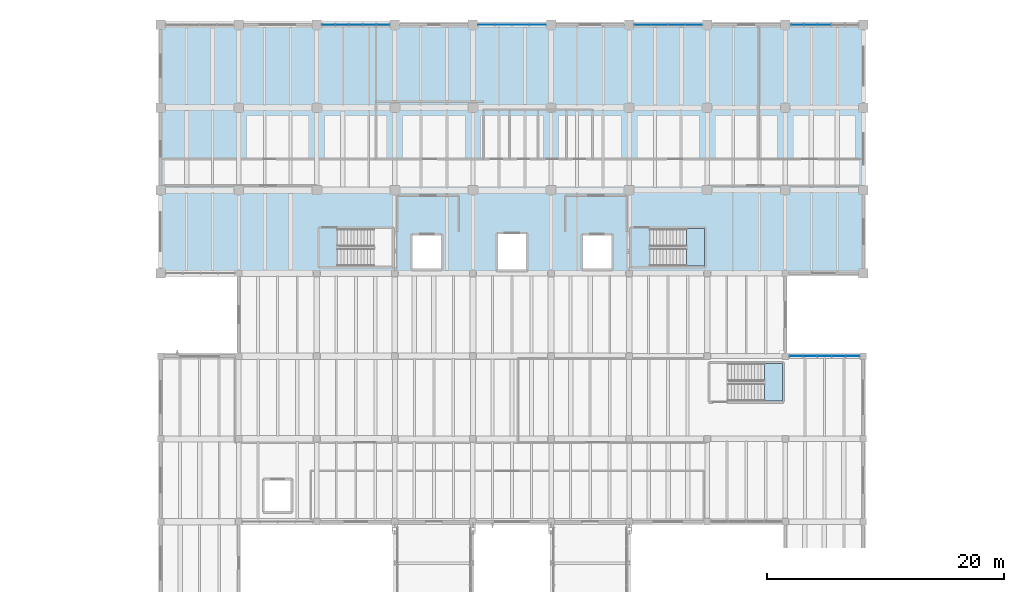
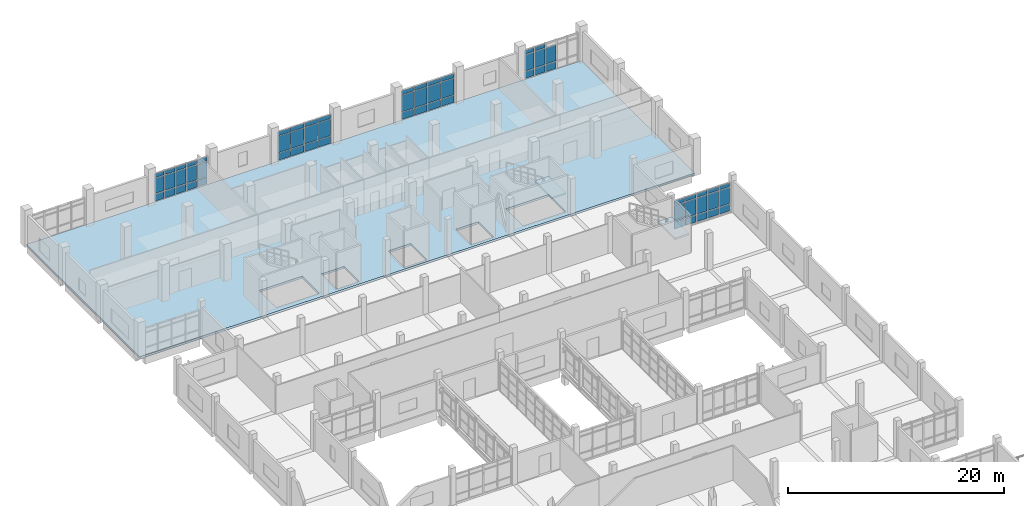
# One storey, part 44 of 67: 62 plates, 3 slabs, 7 elements without a shape of their own.
"""IFC4 building model written with IfcOpenShell, lengths in metres."""

import ifcopenshell
import ifcopenshell.guid

model = None  # the IFC model being written
_history = None  # IfcOwnerHistory: only IFC2X3 demands one
_inside = {}  # id of a spatial element -> (the spatial element, [elements in it])
_under = {}  # id of a project, library or spatial element -> (it, [spatial elements below it])
_declared = {}  # id of a project -> (the project, [libraries it declares])
_typed = {}  # id of a type object -> (the type object, [elements of that type])
_made_of = {}  # id of a material, layer set ... -> (it, [elements and type objects made of it])


def new_model(schema):
    """Start an empty IFC model of exactly this schema.

    Asked for "IFC4X3", IfcOpenShell would pick the latest addendum, in which some entities
    have other attributes; the version numbers below select the first issue.
    IFC2X3 requires an IfcOwnerHistory on every rooted entity: one is made here for all.
    """
    global model, _history
    if schema == "IFC4X3":
        model = ifcopenshell.file(schema_version=(4, 3, 0, 0))
    else:
        model = ifcopenshell.file(schema=schema)
    _inside.clear()
    _under.clear()
    _declared.clear()
    _typed.clear()
    _made_of.clear()
    _history = None
    if model.schema == "IFC2X3":
        org = make("IfcOrganization", Name="unknown")
        user = make(
            "IfcPersonAndOrganization",
            ThePerson=make("IfcPerson", FamilyName="unknown"),
            TheOrganization=org,
        )
        app = make(
            "IfcApplication",
            ApplicationDeveloper=org,
            Version="unknown",
            ApplicationFullName="unknown",
            ApplicationIdentifier="unknown",
        )
        _history = make(
            "IfcOwnerHistory",
            OwningUser=user,
            OwningApplication=app,
            ChangeAction="ADDED",
            CreationDate=0,
        )
    return model


def make(cls, **values):
    """One entity of the class cls with the attributes given. An attribute that is None is left unset."""
    return model.create_entity(
        cls, **{name: value for name, value in values.items() if value is not None}
    )


def rooted(cls, **values):
    """An entity with a GlobalId (a new one), such as an element, a storey or a relation."""
    return make(cls, GlobalId=ifcopenshell.guid.new(), OwnerHistory=_history, **values)


def si_unit(unit_type, name, prefix=None):
    """IfcSIUnit, for example si_unit("LENGTHUNIT", "METRE", prefix="MILLI")."""
    return make("IfcSIUnit", UnitType=unit_type, Prefix=prefix, Name=name)


def assignment(units):
    """IfcUnitAssignment: the units of a project."""
    return None if units is None else make("IfcUnitAssignment", Units=units)


def point(xyz):
    """IfcCartesianPoint."""
    return None if xyz is None else make("IfcCartesianPoint", Coordinates=xyz)


def direction(xyz):
    """IfcDirection."""
    return None if xyz is None else make("IfcDirection", DirectionRatios=xyz)


def frame(location, z_axis=None, x_axis=None):
    """IfcAxis2Placement3D, a coordinate frame: its origin and axes. An axis left out is left unset."""
    return make(
        "IfcAxis2Placement3D",
        Location=point(location),
        Axis=direction(z_axis),
        RefDirection=direction(x_axis),
    )


def frame_2d(location, x_axis=None):
    """IfcAxis2Placement2D, a coordinate frame in the plane: its origin and x axis."""
    return make(
        "IfcAxis2Placement2D", Location=point(location), RefDirection=direction(x_axis)
    )


def origin():
    """The frame at (0, 0, 0) with its axes left unset."""
    return frame((0.0, 0.0, 0.0))


def origin_2d():
    """The frame at (0, 0) in the plane with its x axis left unset."""
    return frame_2d((0.0, 0.0))


def place(relative_to, where):
    """IfcLocalPlacement: puts the frame where relative to a parent placement (None: the world)."""
    return make(
        "IfcLocalPlacement", PlacementRelTo=relative_to, RelativePlacement=where
    )


def context(
    kind, dimensions, precision=None, world=None, true_north=None, identifier=None
):
    """IfcGeometricRepresentationContext, for example the 3D "Model" context."""
    return make(
        "IfcGeometricRepresentationContext",
        ContextIdentifier=identifier,
        ContextType=kind,
        CoordinateSpaceDimension=dimensions,
        Precision=precision,
        WorldCoordinateSystem=world,
        TrueNorth=true_north,
    )


def subcontext(parent, identifier, kind, view, scale=None):
    """IfcGeometricRepresentationSubContext, for example "Body" below "Model"."""
    return make(
        "IfcGeometricRepresentationSubContext",
        ContextIdentifier=identifier,
        ContextType=kind,
        ParentContext=parent,
        TargetScale=scale,
        TargetView=view,
    )


def project(units=None, contexts=None):
    """IfcProject with its units and contexts."""
    return rooted(
        "IfcProject",
        Name="project",
        RepresentationContexts=contexts,
        UnitsInContext=assignment(units),
    )


def spatial(cls, under=None, at=None, **own):
    """A site, building, storey or space (cls), placed at a placement, below another one or the project."""
    s = rooted(cls, ObjectPlacement=at, **own)
    if under is not None:
        _under.setdefault(under.id(), (under, []))[1].append(s)
    return s


def polyline(points):
    """IfcPolyline through the points."""
    return make("IfcPolyline", Points=[point(p) for p in points])


def profile(cls, at=None, kind="AREA", **sizes):
    """A parametric profile (cls). Its sizes go by their IFC names, for example OverallWidth=200.0."""
    return make(cls, ProfileType=kind, Position=at, **sizes)


def rectangle(**sizes):
    """IfcRectangleProfileDef."""
    return profile("IfcRectangleProfileDef", **sizes)


def outline(outer, holes=None, kind="AREA"):
    """IfcArbitraryClosedProfileDef: a profile drawn as a closed curve; with holes, ...WithVoids."""
    if holes is None:
        return make("IfcArbitraryClosedProfileDef", ProfileType=kind, OuterCurve=outer)
    return make(
        "IfcArbitraryProfileDefWithVoids",
        ProfileType=kind,
        OuterCurve=outer,
        InnerCurves=holes,
    )


def extrude(swept, where, along, depth):
    """IfcExtrudedAreaSolid: the profile swept, set in the frame where, extruded along a direction by depth."""
    return make(
        "IfcExtrudedAreaSolid",
        SweptArea=swept,
        Position=where,
        ExtrudedDirection=direction(along),
        Depth=depth,
    )


def shape(context_of_items, identifier, shape_type, items):
    """IfcShapeRepresentation: the items that make up one representation, for example the "Body"."""
    return make(
        "IfcShapeRepresentation",
        ContextOfItems=context_of_items,
        RepresentationIdentifier=identifier,
        RepresentationType=shape_type,
        Items=items,
    )


def material(Name=None, Category=None):
    """IfcMaterial."""
    return make("IfcMaterial", Name=Name, Category=Category)


def layer(
    of_material, thickness, ventilated=None, Name=None, Category=None, Priority=None
):
    """IfcMaterialLayer: one layer of a wall or slab, of a material (None: an air gap)."""
    return make(
        "IfcMaterialLayer",
        Material=of_material,
        LayerThickness=thickness,
        IsVentilated=ventilated,
        Name=Name,
        Category=Category,
        Priority=Priority,
    )


def layer_set(layers, Name=None):
    """IfcMaterialLayerSet."""
    return make("IfcMaterialLayerSet", MaterialLayers=layers, LayerSetName=Name)


def made_of(thing, what):
    """Note that an element or type object is made of a material, layer set ...; save() writes the relation."""
    if what is not None:
        _made_of.setdefault(what.id(), (what, []))[1].append(thing)
    return thing


def type_object(cls, material=None, **own):
    """A type object (cls), such as IfcWallType, which elements share."""
    return made_of(rooted(cls, **own), material)


def element(
    cls,
    number,
    at=None,
    inside=None,
    cuts=None,
    type_object=None,
    material=None,
    context=None,
    identifier="Body",
    shape_type=None,
    held_by="IfcProductDefinitionShape",
    body=None,
    shapes=None,
    **own,
):
    """One element of the class cls, such as IfcWall. Its Tag is "e" and its number.

    at: its placement. inside: the storey or other place that contains it. cuts: it is an
    opening in that element (IfcRelVoidsElement). A single representation is given by context,
    identifier, shape_type and body (its items); several are given by shapes. held_by: the class
    of the entity that holds the representations. save() writes the other relations.
    """
    e = rooted(cls, Tag="e%d" % number, ObjectPlacement=at, **own)
    if body is not None:
        shapes = [shape(context, identifier, shape_type, body)]
    if shapes is not None:
        e.Representation = make(held_by, Representations=shapes)
    if inside is not None:
        _inside.setdefault(inside.id(), (inside, []))[1].append(e)
    if cuts is not None:
        rooted(
            "IfcRelVoidsElement", RelatingBuildingElement=cuts, RelatedOpeningElement=e
        )
    if type_object is not None:
        _typed.setdefault(type_object.id(), (type_object, []))[1].append(e)
    return made_of(e, material)


def aggregate(whole, parts):
    """IfcRelAggregates: a whole, such as a stair, and the parts it consists of."""
    return rooted("IfcRelAggregates", RelatingObject=whole, RelatedObjects=parts)


def save(model, path):
    """Write the relations noted so far, then the file.

    IfcRelAggregates (storeys below a building ...), IfcRelContainedInSpatialStructure (elements
    in a storey), IfcRelDefinesByType, IfcRelAssociatesMaterial and IfcRelDeclares: one each for
    every whole, place, type object, material and project.
    """
    for whole, parts in _under.values():
        aggregate(whole, parts)
    for where, things in _inside.values():
        rooted(
            "IfcRelContainedInSpatialStructure",
            RelatedElements=things,
            RelatingStructure=where,
        )
    for kind, things in _typed.values():
        rooted("IfcRelDefinesByType", RelatedObjects=things, RelatingType=kind)
    for what, things in _made_of.values():
        rooted("IfcRelAssociatesMaterial", RelatedObjects=things, RelatingMaterial=what)
    for by, libraries in _declared.values():
        rooted("IfcRelDeclares", RelatingContext=by, RelatedDefinitions=libraries)
    model.write(path)


model = new_model("IFC4")

# Units and contexts
model_context = context("Model", 3, precision=1e-05, world=origin(), true_north=direction((0.0, 1.0)))
body_context = subcontext(model_context, "Body", "Model", "MODEL_VIEW")
ifc_project = project(units=[si_unit("LENGTHUNIT", "METRE"), si_unit("AREAUNIT", "SQUARE_METRE"), si_unit("VOLUMEUNIT", "CUBIC_METRE"), si_unit("PLANEANGLEUNIT", "RADIAN"), si_unit("MASSUNIT", "GRAM", prefix="KILO")], contexts=[model_context])

# Site, building, storey
site_placement = place(None, origin())
site = spatial("IfcSite", under=ifc_project, at=site_placement, CompositionType="ELEMENT")
building_placement = place(site_placement, origin())
building = spatial("IfcBuilding", under=site, at=building_placement, Name="Ciguamira Faculty of Natural Sciences", CompositionType="ELEMENT")
storey_placement = place(building_placement, frame((0.0, 0.0, 8.39990234375)))
storey = spatial("IfcBuildingStorey", under=building, at=storey_placement, Name="L02", CompositionType="ELEMENT", Elevation=8.39990234375)

# Curtain wall, plates
ifc_material_1 = material(Name="Anodized aluminium curtain wall", Category="aluminium")
curtain_wall_type_1 = type_object("IfcCurtainWallType", Name="CurtainWall_CW-09", PredefinedType="USERDEFINED", material=ifc_material_1)
curtain_wall_1_placement = place(storey_placement, origin())
curtain_wall_1 = element("IfcCurtainWall", 1, at=curtain_wall_1_placement, inside=storey, type_object=curtain_wall_type_1, Name="L02 unitised curtain wall 0069", ObjectType="UNITISED CURTAIN WALL", PredefinedType="USERDEFINED")
ifc_material_2 = material(Name="Low-E laminated solar glass", Category="glass")
ifc_layer_1 = layer(ifc_material_2, 0.028076171875, Name="Low-E laminated solar glass")
ifc_layer_set_1 = layer_set([ifc_layer_1], Name="Low-E laminated solar glass")
plate_type_1 = type_object("IfcPlateType", Name="CWPanel_CWP-01", PredefinedType="CURTAIN_PANEL", material=ifc_layer_set_1)
plate_1_placement = place(storey_placement, frame((111.0, 87.0, 0.080078125), z_axis=(0.0, 0.0, 1.0), x_axis=(1.0, 0.0, 0.0)))
plate_1 = element("IfcPlate", 2, at=plate_1_placement, type_object=plate_type_1, Name="CW-09 panel 1.1", PredefinedType="CURTAIN_PANEL", context=body_context, shape_type="SweptSolid", body=[
    extrude(rectangle(XDim=1.090087890625, YDim=0.028076171875, at=origin_2d()), origin(), (0.0, 0.0, 1.0), 0.780029296875),
])
plate_2_placement = place(storey_placement, frame((111.0, 87.0, 0.940185546875), z_axis=(0.0, 0.0, 1.0), x_axis=(1.0, 0.0, 0.0)))
plate_2 = element("IfcPlate", 3, at=plate_2_placement, type_object=plate_type_1, Name="CW-09 panel 1.2", PredefinedType="CURTAIN_PANEL", context=body_context, shape_type="SweptSolid", body=[
    extrude(rectangle(XDim=1.090087890625, YDim=0.028076171875, at=origin_2d()), origin(), (0.0, 0.0, 1.0), 1.81494140625),
])
plate_3_placement = place(storey_placement, frame((111.0, 87.0, 2.8349609375), z_axis=(0.0, 0.0, 1.0), x_axis=(1.0, 0.0, 0.0)))
plate_3 = element("IfcPlate", 4, at=plate_3_placement, type_object=plate_type_1, Name="CW-09 panel 1.3", PredefinedType="CURTAIN_PANEL", context=body_context, shape_type="SweptSolid", body=[
    extrude(rectangle(XDim=1.090087890625, YDim=0.028076171875, at=origin_2d()), origin(), (0.0, 0.0, 1.0), 0.429931640625),
])
plate_4_placement = place(storey_placement, frame((112.18994140625, 87.0, 0.080078125), z_axis=(0.0, 0.0, 1.0), x_axis=(1.0, 0.0, 0.0)))
plate_4 = element("IfcPlate", 5, at=plate_4_placement, type_object=plate_type_1, Name="CW-09 panel 2.1", PredefinedType="CURTAIN_PANEL", context=body_context, shape_type="SweptSolid", body=[
    extrude(rectangle(XDim=1.1298828125, YDim=0.028076171875, at=origin_2d()), origin(), (0.0, 0.0, 1.0), 0.780029296875),
])
plate_5_placement = place(storey_placement, frame((112.18994140625, 87.0, 0.940185546875), z_axis=(0.0, 0.0, 1.0), x_axis=(1.0, 0.0, 0.0)))
plate_5 = element("IfcPlate", 6, at=plate_5_placement, type_object=plate_type_1, Name="CW-09 panel 2.2", PredefinedType="CURTAIN_PANEL", context=body_context, shape_type="SweptSolid", body=[
    extrude(rectangle(XDim=1.1298828125, YDim=0.028076171875, at=origin_2d()), origin(), (0.0, 0.0, 1.0), 1.81494140625),
])
plate_6_placement = place(storey_placement, frame((112.18994140625, 87.0, 2.8349609375), z_axis=(0.0, 0.0, 1.0), x_axis=(1.0, 0.0, 0.0)))
plate_6 = element("IfcPlate", 7, at=plate_6_placement, type_object=plate_type_1, Name="CW-09 panel 2.3", PredefinedType="CURTAIN_PANEL", context=body_context, shape_type="SweptSolid", body=[
    extrude(rectangle(XDim=1.1298828125, YDim=0.028076171875, at=origin_2d()), origin(), (0.0, 0.0, 1.0), 0.429931640625),
])
plate_7_placement = place(storey_placement, frame((113.39990234375, 87.0, 0.080078125), z_axis=(0.0, 0.0, 1.0), x_axis=(1.0, 0.0, 0.0)))
plate_7 = element("IfcPlate", 8, at=plate_7_placement, type_object=plate_type_1, Name="CW-09 panel 3.1", PredefinedType="CURTAIN_PANEL", context=body_context, shape_type="SweptSolid", body=[
    extrude(rectangle(XDim=1.1298828125, YDim=0.028076171875, at=origin_2d()), origin(), (0.0, 0.0, 1.0), 0.780029296875),
])
plate_8_placement = place(storey_placement, frame((113.39990234375, 87.0, 0.940185546875), z_axis=(0.0, 0.0, 1.0), x_axis=(1.0, 0.0, 0.0)))
plate_8 = element("IfcPlate", 9, at=plate_8_placement, type_object=plate_type_1, Name="CW-09 panel 3.2", PredefinedType="CURTAIN_PANEL", context=body_context, shape_type="SweptSolid", body=[
    extrude(rectangle(XDim=1.1298828125, YDim=0.028076171875, at=origin_2d()), origin(), (0.0, 0.0, 1.0), 1.81494140625),
])
plate_9_placement = place(storey_placement, frame((113.39990234375, 87.0, 2.8349609375), z_axis=(0.0, 0.0, 1.0), x_axis=(1.0, 0.0, 0.0)))
plate_9 = element("IfcPlate", 10, at=plate_9_placement, type_object=plate_type_1, Name="CW-09 panel 3.3", PredefinedType="CURTAIN_PANEL", context=body_context, shape_type="SweptSolid", body=[
    extrude(rectangle(XDim=1.1298828125, YDim=0.028076171875, at=origin_2d()), origin(), (0.0, 0.0, 1.0), 0.429931640625),
])
plate_10_placement = place(storey_placement, frame((114.610107421875, 87.0, 0.080078125), z_axis=(0.0, 0.0, 1.0), x_axis=(1.0, 0.0, 0.0)))
plate_10 = element("IfcPlate", 11, at=plate_10_placement, type_object=plate_type_1, Name="CW-09 panel 4.1", PredefinedType="CURTAIN_PANEL", context=body_context, shape_type="SweptSolid", body=[
    extrude(rectangle(XDim=1.1298828125, YDim=0.028076171875, at=origin_2d()), origin(), (0.0, 0.0, 1.0), 0.780029296875),
])
plate_11_placement = place(storey_placement, frame((114.610107421875, 87.0, 0.940185546875), z_axis=(0.0, 0.0, 1.0), x_axis=(1.0, 0.0, 0.0)))
plate_11 = element("IfcPlate", 12, at=plate_11_placement, type_object=plate_type_1, Name="CW-09 panel 4.2", PredefinedType="CURTAIN_PANEL", context=body_context, shape_type="SweptSolid", body=[
    extrude(rectangle(XDim=1.1298828125, YDim=0.028076171875, at=origin_2d()), origin(), (0.0, 0.0, 1.0), 1.81494140625),
])
plate_12_placement = place(storey_placement, frame((114.610107421875, 87.0, 2.8349609375), z_axis=(0.0, 0.0, 1.0), x_axis=(1.0, 0.0, 0.0)))
plate_12 = element("IfcPlate", 13, at=plate_12_placement, type_object=plate_type_1, Name="CW-09 panel 4.3", PredefinedType="CURTAIN_PANEL", context=body_context, shape_type="SweptSolid", body=[
    extrude(rectangle(XDim=1.1298828125, YDim=0.028076171875, at=origin_2d()), origin(), (0.0, 0.0, 1.0), 0.429931640625),
])
plate_13_placement = place(storey_placement, frame((115.800048828125, 87.0, 0.080078125), z_axis=(0.0, 0.0, 1.0), x_axis=(1.0, 0.0, 0.0)))
plate_13 = element("IfcPlate", 14, at=plate_13_placement, type_object=plate_type_1, Name="CW-09 panel 5.1", PredefinedType="CURTAIN_PANEL", context=body_context, shape_type="SweptSolid", body=[
    extrude(rectangle(XDim=1.090087890625, YDim=0.028076171875, at=origin_2d()), origin(), (0.0, 0.0, 1.0), 0.780029296875),
])
plate_14_placement = place(storey_placement, frame((115.800048828125, 87.0, 0.940185546875), z_axis=(0.0, 0.0, 1.0), x_axis=(1.0, 0.0, 0.0)))
plate_14 = element("IfcPlate", 15, at=plate_14_placement, type_object=plate_type_1, Name="CW-09 panel 5.2", PredefinedType="CURTAIN_PANEL", context=body_context, shape_type="SweptSolid", body=[
    extrude(rectangle(XDim=1.090087890625, YDim=0.028076171875, at=origin_2d()), origin(), (0.0, 0.0, 1.0), 1.81494140625),
])
plate_15_placement = place(storey_placement, frame((115.800048828125, 87.0, 2.8349609375), z_axis=(0.0, 0.0, 1.0), x_axis=(1.0, 0.0, 0.0)))
plate_15 = element("IfcPlate", 16, at=plate_15_placement, type_object=plate_type_1, Name="CW-09 panel 5.3", PredefinedType="CURTAIN_PANEL", context=body_context, shape_type="SweptSolid", body=[
    extrude(rectangle(XDim=1.090087890625, YDim=0.028076171875, at=origin_2d()), origin(), (0.0, 0.0, 1.0), 0.429931640625),
])
aggregate(curtain_wall_1, [plate_1, plate_2, plate_3, plate_4, plate_5, plate_6, plate_7, plate_8, plate_9, plate_10, plate_11, plate_12, plate_13, plate_14, plate_15])

curtain_wall_type_2 = type_object("IfcCurtainWallType", Name="CurtainWall_CW-01", PredefinedType="USERDEFINED", material=ifc_material_1)
curtain_wall_2_placement = place(storey_placement, origin())
curtain_wall_2 = element("IfcCurtainWall", 17, at=curtain_wall_2_placement, inside=storey, type_object=curtain_wall_type_2, Name="L02 unitised curtain wall 0073", ObjectType="UNITISED CURTAIN WALL", PredefinedType="USERDEFINED")
plate_16_placement = place(storey_placement, frame((84.840087890625, 115.0, 0.06005859375), z_axis=(0.0, 0.0, 1.0), x_axis=(1.0, 0.0, 0.0)))
plate_16 = element("IfcPlate", 18, at=plate_16_placement, type_object=plate_type_1, Name="CW-01 panel 1.1", PredefinedType="CURTAIN_PANEL", context=body_context, shape_type="SweptSolid", body=[
    extrude(rectangle(XDim=1.360107421875, YDim=0.028076171875, at=origin_2d()), origin(), (0.0, 0.0, 1.0), 0.81005859375),
])
plate_17_placement = place(storey_placement, frame((84.840087890625, 115.0, 0.93017578125), z_axis=(0.0, 0.0, 1.0), x_axis=(1.0, 0.0, 0.0)))
plate_17 = element("IfcPlate", 19, at=plate_17_placement, type_object=plate_type_1, Name="CW-01 panel 1.2", PredefinedType="CURTAIN_PANEL", context=body_context, shape_type="SweptSolid", body=[
    extrude(rectangle(XDim=1.360107421875, YDim=0.028076171875, at=origin_2d()), origin(), (0.0, 0.0, 1.0), 1.85498046875),
])
plate_18_placement = place(storey_placement, frame((84.840087890625, 115.0, 2.84521484375), z_axis=(0.0, 0.0, 1.0), x_axis=(1.0, 0.0, 0.0)))
plate_18 = element("IfcPlate", 20, at=plate_18_placement, type_object=plate_type_1, Name="CW-01 panel 1.3", PredefinedType="CURTAIN_PANEL", context=body_context, shape_type="SweptSolid", body=[
    extrude(rectangle(XDim=1.360107421875, YDim=0.028076171875, at=origin_2d()), origin(), (0.0, 0.0, 1.0), 0.4599609375),
])
plate_19_placement = place(storey_placement, frame((86.27490234375, 115.0, 0.06005859375), z_axis=(0.0, 0.0, 1.0), x_axis=(1.0, 0.0, 0.0)))
plate_19 = element("IfcPlate", 21, at=plate_19_placement, type_object=plate_type_1, Name="CW-01 panel 2.1", PredefinedType="CURTAIN_PANEL", context=body_context, shape_type="SweptSolid", body=[
    extrude(rectangle(XDim=1.389892578125, YDim=0.028076171875, at=origin_2d()), origin(), (0.0, 0.0, 1.0), 0.81005859375),
])
plate_20_placement = place(storey_placement, frame((86.27490234375, 115.0, 0.93017578125), z_axis=(0.0, 0.0, 1.0), x_axis=(1.0, 0.0, 0.0)))
plate_20 = element("IfcPlate", 22, at=plate_20_placement, type_object=plate_type_1, Name="CW-01 panel 2.2", PredefinedType="CURTAIN_PANEL", context=body_context, shape_type="SweptSolid", body=[
    extrude(rectangle(XDim=1.389892578125, YDim=0.028076171875, at=origin_2d()), origin(), (0.0, 0.0, 1.0), 1.85498046875),
])
plate_21_placement = place(storey_placement, frame((86.27490234375, 115.0, 2.84521484375), z_axis=(0.0, 0.0, 1.0), x_axis=(1.0, 0.0, 0.0)))
plate_21 = element("IfcPlate", 23, at=plate_21_placement, type_object=plate_type_1, Name="CW-01 panel 2.3", PredefinedType="CURTAIN_PANEL", context=body_context, shape_type="SweptSolid", body=[
    extrude(rectangle(XDim=1.389892578125, YDim=0.028076171875, at=origin_2d()), origin(), (0.0, 0.0, 1.0), 0.4599609375),
])
plate_22_placement = place(storey_placement, frame((87.72509765625, 115.0, 0.06005859375), z_axis=(0.0, 0.0, 1.0), x_axis=(1.0, 0.0, 0.0)))
plate_22 = element("IfcPlate", 24, at=plate_22_placement, type_object=plate_type_1, Name="CW-01 panel 3.1", PredefinedType="CURTAIN_PANEL", context=body_context, shape_type="SweptSolid", body=[
    extrude(rectangle(XDim=1.389892578125, YDim=0.028076171875, at=origin_2d()), origin(), (0.0, 0.0, 1.0), 0.81005859375),
])
plate_23_placement = place(storey_placement, frame((87.72509765625, 115.0, 0.93017578125), z_axis=(0.0, 0.0, 1.0), x_axis=(1.0, 0.0, 0.0)))
plate_23 = element("IfcPlate", 25, at=plate_23_placement, type_object=plate_type_1, Name="CW-01 panel 3.2", PredefinedType="CURTAIN_PANEL", context=body_context, shape_type="SweptSolid", body=[
    extrude(rectangle(XDim=1.389892578125, YDim=0.028076171875, at=origin_2d()), origin(), (0.0, 0.0, 1.0), 1.85498046875),
])
plate_24_placement = place(storey_placement, frame((87.72509765625, 115.0, 2.84521484375), z_axis=(0.0, 0.0, 1.0), x_axis=(1.0, 0.0, 0.0)))
plate_24 = element("IfcPlate", 26, at=plate_24_placement, type_object=plate_type_1, Name="CW-01 panel 3.3", PredefinedType="CURTAIN_PANEL", context=body_context, shape_type="SweptSolid", body=[
    extrude(rectangle(XDim=1.389892578125, YDim=0.028076171875, at=origin_2d()), origin(), (0.0, 0.0, 1.0), 0.4599609375),
])
plate_25_placement = place(storey_placement, frame((89.159912109375, 115.0, 0.06005859375), z_axis=(0.0, 0.0, 1.0), x_axis=(1.0, 0.0, 0.0)))
plate_25 = element("IfcPlate", 27, at=plate_25_placement, type_object=plate_type_1, Name="CW-01 panel 4.1", PredefinedType="CURTAIN_PANEL", context=body_context, shape_type="SweptSolid", body=[
    extrude(rectangle(XDim=1.360107421875, YDim=0.028076171875, at=origin_2d()), origin(), (0.0, 0.0, 1.0), 0.81005859375),
])
plate_26_placement = place(storey_placement, frame((89.159912109375, 115.0, 0.93017578125), z_axis=(0.0, 0.0, 1.0), x_axis=(1.0, 0.0, 0.0)))
plate_26 = element("IfcPlate", 28, at=plate_26_placement, type_object=plate_type_1, Name="CW-01 panel 4.2", PredefinedType="CURTAIN_PANEL", context=body_context, shape_type="SweptSolid", body=[
    extrude(rectangle(XDim=1.360107421875, YDim=0.028076171875, at=origin_2d()), origin(), (0.0, 0.0, 1.0), 1.85498046875),
])
plate_27_placement = place(storey_placement, frame((89.159912109375, 115.0, 2.84521484375), z_axis=(0.0, 0.0, 1.0), x_axis=(1.0, 0.0, 0.0)))
plate_27 = element("IfcPlate", 29, at=plate_27_placement, type_object=plate_type_1, Name="CW-01 panel 4.3", PredefinedType="CURTAIN_PANEL", context=body_context, shape_type="SweptSolid", body=[
    extrude(rectangle(XDim=1.360107421875, YDim=0.028076171875, at=origin_2d()), origin(), (0.0, 0.0, 1.0), 0.4599609375),
])
aggregate(curtain_wall_2, [plate_16, plate_17, plate_18, plate_19, plate_20, plate_21, plate_22, plate_23, plate_24, plate_25, plate_26, plate_27])

curtain_wall_type_3 = type_object("IfcCurtainWallType", Name="CurtainWall_CW-03", PredefinedType="USERDEFINED", material=ifc_material_1)
curtain_wall_3_placement = place(storey_placement, origin())
curtain_wall_3 = element("IfcCurtainWall", 30, at=curtain_wall_3_placement, inside=storey, type_object=curtain_wall_type_3, Name="L02 unitised curtain wall 0075", ObjectType="UNITISED CURTAIN WALL", PredefinedType="USERDEFINED")
plate_28_placement = place(storey_placement, frame((111.10009765625, 115.0, 0.080078125), z_axis=(0.0, 0.0, 1.0), x_axis=(1.0, 0.0, 0.0)))
plate_28 = element("IfcPlate", 31, at=plate_28_placement, type_object=plate_type_1, Name="CW-03 panel 1.1", PredefinedType="CURTAIN_PANEL", context=body_context, shape_type="SweptSolid", body=[
    extrude(rectangle(XDim=1.0400390625, YDim=0.028076171875, at=origin_2d()), origin(), (0.0, 0.0, 1.0), 0.780029296875),
])
plate_29_placement = place(storey_placement, frame((111.10009765625, 115.0, 0.940185546875), z_axis=(0.0, 0.0, 1.0), x_axis=(1.0, 0.0, 0.0)))
plate_29 = element("IfcPlate", 32, at=plate_29_placement, type_object=plate_type_1, Name="CW-03 panel 1.2", PredefinedType="CURTAIN_PANEL", context=body_context, shape_type="SweptSolid", body=[
    extrude(rectangle(XDim=1.0400390625, YDim=0.028076171875, at=origin_2d()), origin(), (0.0, 0.0, 1.0), 1.81494140625),
])
plate_30_placement = place(storey_placement, frame((111.10009765625, 115.0, 2.8349609375), z_axis=(0.0, 0.0, 1.0), x_axis=(1.0, 0.0, 0.0)))
plate_30 = element("IfcPlate", 33, at=plate_30_placement, type_object=plate_type_1, Name="CW-03 panel 1.3", PredefinedType="CURTAIN_PANEL", context=body_context, shape_type="SweptSolid", body=[
    extrude(rectangle(XDim=1.0400390625, YDim=0.028076171875, at=origin_2d()), origin(), (0.0, 0.0, 1.0), 0.429931640625),
])
plate_31_placement = place(storey_placement, frame((112.239990234375, 115.0, 0.080078125), z_axis=(0.0, 0.0, 1.0), x_axis=(1.0, 0.0, 0.0)))
plate_31 = element("IfcPlate", 34, at=plate_31_placement, type_object=plate_type_1, Name="CW-03 panel 2.1", PredefinedType="CURTAIN_PANEL", context=body_context, shape_type="SweptSolid", body=[
    extrude(rectangle(XDim=1.080078125, YDim=0.028076171875, at=origin_2d()), origin(), (0.0, 0.0, 1.0), 0.780029296875),
])
plate_32_placement = place(storey_placement, frame((112.239990234375, 115.0, 0.940185546875), z_axis=(0.0, 0.0, 1.0), x_axis=(1.0, 0.0, 0.0)))
plate_32 = element("IfcPlate", 35, at=plate_32_placement, type_object=plate_type_1, Name="CW-03 panel 2.2", PredefinedType="CURTAIN_PANEL", context=body_context, shape_type="SweptSolid", body=[
    extrude(rectangle(XDim=1.080078125, YDim=0.028076171875, at=origin_2d()), origin(), (0.0, 0.0, 1.0), 1.81494140625),
])
plate_33_placement = place(storey_placement, frame((112.239990234375, 115.0, 2.8349609375), z_axis=(0.0, 0.0, 1.0), x_axis=(1.0, 0.0, 0.0)))
plate_33 = element("IfcPlate", 36, at=plate_33_placement, type_object=plate_type_1, Name="CW-03 panel 2.3", PredefinedType="CURTAIN_PANEL", context=body_context, shape_type="SweptSolid", body=[
    extrude(rectangle(XDim=1.080078125, YDim=0.028076171875, at=origin_2d()), origin(), (0.0, 0.0, 1.0), 0.429931640625),
])
plate_34_placement = place(storey_placement, frame((113.39990234375, 115.0, 0.080078125), z_axis=(0.0, 0.0, 1.0), x_axis=(1.0, 0.0, 0.0)))
plate_34 = element("IfcPlate", 37, at=plate_34_placement, type_object=plate_type_1, Name="CW-03 panel 3.1", PredefinedType="CURTAIN_PANEL", context=body_context, shape_type="SweptSolid", body=[
    extrude(rectangle(XDim=1.080078125, YDim=0.028076171875, at=origin_2d()), origin(), (0.0, 0.0, 1.0), 0.780029296875),
])
plate_35_placement = place(storey_placement, frame((113.39990234375, 115.0, 0.940185546875), z_axis=(0.0, 0.0, 1.0), x_axis=(1.0, 0.0, 0.0)))
plate_35 = element("IfcPlate", 38, at=plate_35_placement, type_object=plate_type_1, Name="CW-03 panel 3.2", PredefinedType="CURTAIN_PANEL", context=body_context, shape_type="SweptSolid", body=[
    extrude(rectangle(XDim=1.080078125, YDim=0.028076171875, at=origin_2d()), origin(), (0.0, 0.0, 1.0), 1.81494140625),
])
aggregate(curtain_wall_3, [plate_28, plate_29, plate_30, plate_31, plate_32, plate_33, plate_34, plate_35])

curtain_wall_type_4 = type_object("IfcCurtainWallType", Name="CurtainWall_CW-12", PredefinedType="USERDEFINED", material=ifc_material_1)
curtain_wall_4_placement = place(storey_placement, origin())
curtain_wall_4 = element("IfcCurtainWall", 39, at=curtain_wall_4_placement, inside=storey, type_object=curtain_wall_type_4, Name="L02 unitised curtain wall 0072", ObjectType="UNITISED CURTAIN WALL", PredefinedType="USERDEFINED")
ifc_layer_2 = layer(ifc_material_2, 0.035888671875, Name="Low-E laminated solar glass")
ifc_layer_set_2 = layer_set([ifc_layer_2], Name="Low-E laminated solar glass")
plate_type_2 = type_object("IfcPlateType", Name="CWPanel_CWP-02", PredefinedType="CURTAIN_PANEL", material=ifc_layer_set_2)
plate_36_placement = place(storey_placement, frame((71.5, 115.0, 0.080078125), z_axis=(0.0, 0.0, 1.0), x_axis=(1.0, 0.0, 0.0)))
plate_36 = element("IfcPlate", 40, at=plate_36_placement, type_object=plate_type_2, Name="CW-12 panel 1.1", PredefinedType="CURTAIN_PANEL", context=body_context, shape_type="SweptSolid", body=[
    extrude(rectangle(XDim=1.0400390625, YDim=0.035888671875, at=origin_2d()), origin(), (0.0, 0.0, 1.0), 0.780029296875),
])
plate_37_placement = place(storey_placement, frame((71.5, 115.0, 0.93994140625), z_axis=(0.0, 0.0, 1.0), x_axis=(1.0, 0.0, 0.0)))
plate_37 = element("IfcPlate", 41, at=plate_37_placement, type_object=plate_type_2, Name="CW-12 panel 1.2", PredefinedType="CURTAIN_PANEL", context=body_context, shape_type="SweptSolid", body=[
    extrude(rectangle(XDim=1.0400390625, YDim=0.035888671875, at=origin_2d()), origin(), (0.0, 0.0, 1.0), 1.705078125),
])
plate_38_placement = place(storey_placement, frame((71.5, 115.0, 2.72509765625), z_axis=(0.0, 0.0, 1.0), x_axis=(1.0, 0.0, 0.0)))
plate_38 = element("IfcPlate", 42, at=plate_38_placement, type_object=plate_type_2, Name="CW-12 panel 1.3", PredefinedType="CURTAIN_PANEL", context=body_context, shape_type="SweptSolid", body=[
    extrude(rectangle(XDim=1.0400390625, YDim=0.035888671875, at=origin_2d()), origin(), (0.0, 0.0, 1.0), 0.429931640625),
])
plate_39_placement = place(storey_placement, frame((72.639892578125, 115.0, 0.080078125), z_axis=(0.0, 0.0, 1.0), x_axis=(1.0, 0.0, 0.0)))
plate_39 = element("IfcPlate", 43, at=plate_39_placement, type_object=plate_type_2, Name="CW-12 panel 2.1", PredefinedType="CURTAIN_PANEL", context=body_context, shape_type="SweptSolid", body=[
    extrude(rectangle(XDim=1.080078125, YDim=0.035888671875, at=origin_2d()), origin(), (0.0, 0.0, 1.0), 0.780029296875),
])
plate_40_placement = place(storey_placement, frame((72.639892578125, 115.0, 0.93994140625), z_axis=(0.0, 0.0, 1.0), x_axis=(1.0, 0.0, 0.0)))
plate_40 = element("IfcPlate", 44, at=plate_40_placement, type_object=plate_type_2, Name="CW-12 panel 2.2", PredefinedType="CURTAIN_PANEL", context=body_context, shape_type="SweptSolid", body=[
    extrude(rectangle(XDim=1.080078125, YDim=0.035888671875, at=origin_2d()), origin(), (0.0, 0.0, 1.0), 1.705078125),
])
plate_41_placement = place(storey_placement, frame((72.639892578125, 115.0, 2.72509765625), z_axis=(0.0, 0.0, 1.0), x_axis=(1.0, 0.0, 0.0)))
plate_41 = element("IfcPlate", 45, at=plate_41_placement, type_object=plate_type_2, Name="CW-12 panel 2.3", PredefinedType="CURTAIN_PANEL", context=body_context, shape_type="SweptSolid", body=[
    extrude(rectangle(XDim=1.080078125, YDim=0.035888671875, at=origin_2d()), origin(), (0.0, 0.0, 1.0), 0.429931640625),
])
plate_42_placement = place(storey_placement, frame((73.800048828125, 115.0, 0.080078125), z_axis=(0.0, 0.0, 1.0), x_axis=(1.0, 0.0, 0.0)))
plate_42 = element("IfcPlate", 46, at=plate_42_placement, type_object=plate_type_2, Name="CW-12 panel 3.1", PredefinedType="CURTAIN_PANEL", context=body_context, shape_type="SweptSolid", body=[
    extrude(rectangle(XDim=1.080078125, YDim=0.035888671875, at=origin_2d()), origin(), (0.0, 0.0, 1.0), 0.780029296875),
])
plate_43_placement = place(storey_placement, frame((73.800048828125, 115.0, 0.93994140625), z_axis=(0.0, 0.0, 1.0), x_axis=(1.0, 0.0, 0.0)))
plate_43 = element("IfcPlate", 47, at=plate_43_placement, type_object=plate_type_2, Name="CW-12 panel 3.2", PredefinedType="CURTAIN_PANEL", context=body_context, shape_type="SweptSolid", body=[
    extrude(rectangle(XDim=1.080078125, YDim=0.035888671875, at=origin_2d()), origin(), (0.0, 0.0, 1.0), 1.705078125),
])
plate_44_placement = place(storey_placement, frame((73.800048828125, 115.0, 2.72509765625), z_axis=(0.0, 0.0, 1.0), x_axis=(1.0, 0.0, 0.0)))
plate_44 = element("IfcPlate", 48, at=plate_44_placement, type_object=plate_type_2, Name="CW-12 panel 3.3", PredefinedType="CURTAIN_PANEL", context=body_context, shape_type="SweptSolid", body=[
    extrude(rectangle(XDim=1.080078125, YDim=0.035888671875, at=origin_2d()), origin(), (0.0, 0.0, 1.0), 0.429931640625),
])
plate_45_placement = place(storey_placement, frame((74.9599609375, 115.0, 0.080078125), z_axis=(0.0, 0.0, 1.0), x_axis=(1.0, 0.0, 0.0)))
plate_45 = element("IfcPlate", 49, at=plate_45_placement, type_object=plate_type_2, Name="CW-12 panel 4.1", PredefinedType="CURTAIN_PANEL", context=body_context, shape_type="SweptSolid", body=[
    extrude(rectangle(XDim=1.080078125, YDim=0.035888671875, at=origin_2d()), origin(), (0.0, 0.0, 1.0), 0.780029296875),
])
plate_46_placement = place(storey_placement, frame((74.9599609375, 115.0, 0.93994140625), z_axis=(0.0, 0.0, 1.0), x_axis=(1.0, 0.0, 0.0)))
plate_46 = element("IfcPlate", 50, at=plate_46_placement, type_object=plate_type_2, Name="CW-12 panel 4.2", PredefinedType="CURTAIN_PANEL", context=body_context, shape_type="SweptSolid", body=[
    extrude(rectangle(XDim=1.080078125, YDim=0.035888671875, at=origin_2d()), origin(), (0.0, 0.0, 1.0), 1.705078125),
])
plate_47_placement = place(storey_placement, frame((74.9599609375, 115.0, 2.72509765625), z_axis=(0.0, 0.0, 1.0), x_axis=(1.0, 0.0, 0.0)))
plate_47 = element("IfcPlate", 51, at=plate_47_placement, type_object=plate_type_2, Name="CW-12 panel 4.3", PredefinedType="CURTAIN_PANEL", context=body_context, shape_type="SweptSolid", body=[
    extrude(rectangle(XDim=1.080078125, YDim=0.035888671875, at=origin_2d()), origin(), (0.0, 0.0, 1.0), 0.429931640625),
])
plate_48_placement = place(storey_placement, frame((76.10009765625, 115.0, 0.080078125), z_axis=(0.0, 0.0, 1.0), x_axis=(1.0, 0.0, 0.0)))
plate_48 = element("IfcPlate", 52, at=plate_48_placement, type_object=plate_type_2, Name="CW-12 panel 5.1", PredefinedType="CURTAIN_PANEL", context=body_context, shape_type="SweptSolid", body=[
    extrude(rectangle(XDim=1.0400390625, YDim=0.035888671875, at=origin_2d()), origin(), (0.0, 0.0, 1.0), 0.780029296875),
])
plate_49_placement = place(storey_placement, frame((76.10009765625, 115.0, 0.93994140625), z_axis=(0.0, 0.0, 1.0), x_axis=(1.0, 0.0, 0.0)))
plate_49 = element("IfcPlate", 53, at=plate_49_placement, type_object=plate_type_2, Name="CW-12 panel 5.2", PredefinedType="CURTAIN_PANEL", context=body_context, shape_type="SweptSolid", body=[
    extrude(rectangle(XDim=1.0400390625, YDim=0.035888671875, at=origin_2d()), origin(), (0.0, 0.0, 1.0), 1.705078125),
])
plate_50_placement = place(storey_placement, frame((76.10009765625, 115.0, 2.72509765625), z_axis=(0.0, 0.0, 1.0), x_axis=(1.0, 0.0, 0.0)))
plate_50 = element("IfcPlate", 54, at=plate_50_placement, type_object=plate_type_2, Name="CW-12 panel 5.3", PredefinedType="CURTAIN_PANEL", context=body_context, shape_type="SweptSolid", body=[
    extrude(rectangle(XDim=1.0400390625, YDim=0.035888671875, at=origin_2d()), origin(), (0.0, 0.0, 1.0), 0.429931640625),
])
aggregate(curtain_wall_4, [plate_36, plate_37, plate_38, plate_39, plate_40, plate_41, plate_42, plate_43, plate_44, plate_45, plate_46, plate_47, plate_48, plate_49, plate_50])

curtain_wall_type_5 = type_object("IfcCurtainWallType", Name="CurtainWall_CW-02", PredefinedType="USERDEFINED", material=ifc_material_1)
curtain_wall_5_placement = place(storey_placement, origin())
curtain_wall_5 = element("IfcCurtainWall", 55, at=curtain_wall_5_placement, inside=storey, type_object=curtain_wall_type_5, Name="L02 unitised curtain wall 0074", ObjectType="UNITISED CURTAIN WALL", PredefinedType="USERDEFINED")
plate_51_placement = place(storey_placement, frame((98.04248046875, 115.0, 0.070068359375), z_axis=(0.0, 0.0, 1.0), x_axis=(1.0, 0.0, 0.0)))
plate_51 = element("IfcPlate", 56, at=plate_51_placement, type_object=plate_type_2, Name="CW-02 panel 1.1", PredefinedType="CURTAIN_PANEL", context=body_context, shape_type="SweptSolid", body=[
    extrude(rectangle(XDim=1.344970703125, YDim=0.035888671875, at=origin_2d()), origin(), (0.0, 0.0, 1.0), 0.794921875),
])
plate_52_placement = place(storey_placement, frame((98.04248046875, 115.0, 0.93505859375), z_axis=(0.0, 0.0, 1.0), x_axis=(1.0, 0.0, 0.0)))
plate_52 = element("IfcPlate", 57, at=plate_52_placement, type_object=plate_type_2, Name="CW-02 panel 1.2", PredefinedType="CURTAIN_PANEL", context=body_context, shape_type="SweptSolid", body=[
    extrude(rectangle(XDim=1.344970703125, YDim=0.035888671875, at=origin_2d()), origin(), (0.0, 0.0, 1.0), 1.864990234375),
])
plate_53_placement = place(storey_placement, frame((98.04248046875, 115.0, 2.8701171875), z_axis=(0.0, 0.0, 1.0), x_axis=(1.0, 0.0, 0.0)))
plate_53 = element("IfcPlate", 58, at=plate_53_placement, type_object=plate_type_2, Name="CW-02 panel 1.3", PredefinedType="CURTAIN_PANEL", context=body_context, shape_type="SweptSolid", body=[
    extrude(rectangle(XDim=1.344970703125, YDim=0.035888671875, at=origin_2d()), origin(), (0.0, 0.0, 1.0), 0.445068359375),
])
plate_54_placement = place(storey_placement, frame((99.47509765625, 115.0, 0.070068359375), z_axis=(0.0, 0.0, 1.0), x_axis=(1.0, 0.0, 0.0)))
plate_54 = element("IfcPlate", 59, at=plate_54_placement, type_object=plate_type_2, Name="CW-02 panel 2.1", PredefinedType="CURTAIN_PANEL", context=body_context, shape_type="SweptSolid", body=[
    extrude(rectangle(XDim=1.3798828125, YDim=0.035888671875, at=origin_2d()), origin(), (0.0, 0.0, 1.0), 0.794921875),
])
plate_55_placement = place(storey_placement, frame((99.47509765625, 115.0, 0.93505859375), z_axis=(0.0, 0.0, 1.0), x_axis=(1.0, 0.0, 0.0)))
plate_55 = element("IfcPlate", 60, at=plate_55_placement, type_object=plate_type_2, Name="CW-02 panel 2.2", PredefinedType="CURTAIN_PANEL", context=body_context, shape_type="SweptSolid", body=[
    extrude(rectangle(XDim=1.3798828125, YDim=0.035888671875, at=origin_2d()), origin(), (0.0, 0.0, 1.0), 1.864990234375),
])
plate_56_placement = place(storey_placement, frame((99.47509765625, 115.0, 2.8701171875), z_axis=(0.0, 0.0, 1.0), x_axis=(1.0, 0.0, 0.0)))
plate_56 = element("IfcPlate", 61, at=plate_56_placement, type_object=plate_type_2, Name="CW-02 panel 2.3", PredefinedType="CURTAIN_PANEL", context=body_context, shape_type="SweptSolid", body=[
    extrude(rectangle(XDim=1.3798828125, YDim=0.035888671875, at=origin_2d()), origin(), (0.0, 0.0, 1.0), 0.445068359375),
])
plate_57_placement = place(storey_placement, frame((100.925048828125, 115.0, 0.070068359375), z_axis=(0.0, 0.0, 1.0), x_axis=(1.0, 0.0, 0.0)))
plate_57 = element("IfcPlate", 62, at=plate_57_placement, type_object=plate_type_2, Name="CW-02 panel 3.1", PredefinedType="CURTAIN_PANEL", context=body_context, shape_type="SweptSolid", body=[
    extrude(rectangle(XDim=1.3798828125, YDim=0.035888671875, at=origin_2d()), origin(), (0.0, 0.0, 1.0), 0.794921875),
])
plate_58_placement = place(storey_placement, frame((100.925048828125, 115.0, 0.93505859375), z_axis=(0.0, 0.0, 1.0), x_axis=(1.0, 0.0, 0.0)))
plate_58 = element("IfcPlate", 63, at=plate_58_placement, type_object=plate_type_2, Name="CW-02 panel 3.2", PredefinedType="CURTAIN_PANEL", context=body_context, shape_type="SweptSolid", body=[
    extrude(rectangle(XDim=1.3798828125, YDim=0.035888671875, at=origin_2d()), origin(), (0.0, 0.0, 1.0), 1.864990234375),
])
plate_59_placement = place(storey_placement, frame((100.925048828125, 115.0, 2.8701171875), z_axis=(0.0, 0.0, 1.0), x_axis=(1.0, 0.0, 0.0)))
plate_59 = element("IfcPlate", 64, at=plate_59_placement, type_object=plate_type_2, Name="CW-02 panel 3.3", PredefinedType="CURTAIN_PANEL", context=body_context, shape_type="SweptSolid", body=[
    extrude(rectangle(XDim=1.3798828125, YDim=0.035888671875, at=origin_2d()), origin(), (0.0, 0.0, 1.0), 0.445068359375),
])
plate_60_placement = place(storey_placement, frame((102.357421875, 115.0, 0.070068359375), z_axis=(0.0, 0.0, 1.0), x_axis=(1.0, 0.0, 0.0)))
plate_60 = element("IfcPlate", 65, at=plate_60_placement, type_object=plate_type_2, Name="CW-02 panel 4.1", PredefinedType="CURTAIN_PANEL", context=body_context, shape_type="SweptSolid", body=[
    extrude(rectangle(XDim=1.344970703125, YDim=0.035888671875, at=origin_2d()), origin(), (0.0, 0.0, 1.0), 0.794921875),
])
plate_61_placement = place(storey_placement, frame((102.357421875, 115.0, 0.93505859375), z_axis=(0.0, 0.0, 1.0), x_axis=(1.0, 0.0, 0.0)))
plate_61 = element("IfcPlate", 66, at=plate_61_placement, type_object=plate_type_2, Name="CW-02 panel 4.2", PredefinedType="CURTAIN_PANEL", context=body_context, shape_type="SweptSolid", body=[
    extrude(rectangle(XDim=1.344970703125, YDim=0.035888671875, at=origin_2d()), origin(), (0.0, 0.0, 1.0), 1.864990234375),
])
plate_62_placement = place(storey_placement, frame((102.357421875, 115.0, 2.8701171875), z_axis=(0.0, 0.0, 1.0), x_axis=(1.0, 0.0, 0.0)))
plate_62 = element("IfcPlate", 67, at=plate_62_placement, type_object=plate_type_2, Name="CW-02 panel 4.3", PredefinedType="CURTAIN_PANEL", context=body_context, shape_type="SweptSolid", body=[
    extrude(rectangle(XDim=1.344970703125, YDim=0.035888671875, at=origin_2d()), origin(), (0.0, 0.0, 1.0), 0.445068359375),
])
aggregate(curtain_wall_5, [plate_51, plate_52, plate_53, plate_54, plate_55, plate_56, plate_57, plate_58, plate_59, plate_60, plate_61, plate_62])

# Slab
ifc_material_3 = material(Name="Concrete C40/50", Category="concrete")
ifc_layer_3 = layer(ifc_material_3, 0.239990234375, Name="Concrete C40/50")
ifc_layer_set_3 = layer_set([ifc_layer_3], Name="Concrete C40/50")
slab_type_1 = type_object("IfcSlabType", Name="Slab_SF-05_240", PredefinedType="FLOOR", material=ifc_layer_set_3)
slab_1_placement = place(storey_placement, frame((0.0, 0.0, -0.239990234375)))
element("IfcSlab", 68, at=slab_1_placement, inside=storey, type_object=slab_type_1, Name="L02 V5 structural slab", PredefinedType="FLOOR", context=body_context, shape_type="SweptSolid", body=[
    extrude(outline(polyline([(57.300048828125, 94.0), (116.699951171875, 94.0), (116.699951171875, 115.0), (57.300048828125, 115.0), (57.300048828125, 94.0)]), holes=[polyline([(72.260009765625, 94.60009765625), (76.85009765625, 94.60009765625), (76.85009765625, 97.760009765625), (72.260009765625, 97.760009765625), (72.260009765625, 94.60009765625)]), polyline([(98.659912109375, 94.60009765625), (103.25, 94.60009765625), (103.25, 97.760009765625), (98.659912109375, 97.760009765625), (98.659912109375, 94.60009765625)]), polyline([(78.60009765625, 94.39990234375), (81.0, 94.39990234375), (81.0, 97.199951171875), (78.60009765625, 97.199951171875), (78.60009765625, 94.39990234375)]), polyline([(93.0, 94.39990234375), (95.39990234375, 94.39990234375), (95.39990234375, 97.199951171875), (93.0, 97.199951171875), (93.0, 94.39990234375)]), polyline([(85.800048828125, 94.300048828125), (88.199951171875, 94.300048828125), (88.199951171875, 97.300048828125), (85.800048828125, 97.300048828125), (85.800048828125, 94.300048828125)])]), origin(), (0.0, 0.0, 1.0), 0.239990234375),
])

# Stair, slab
stair_type = type_object("IfcStairType", Name="Stair_STR-02", PredefinedType="HALF_TURN_STAIR", material=ifc_material_3)
stair_1_placement = place(storey_placement, origin())
stair_1 = element("IfcStair", 69, at=stair_1_placement, inside=storey, type_object=stair_type, Name="L02 Tower East Exit Stair", PredefinedType="HALF_TURN_STAIR")
ifc_layer_4 = layer(ifc_material_3, 0.199951171875, Name="Concrete C40/50")
ifc_layer_set_4 = layer_set([ifc_layer_4], Name="Concrete C40/50")
slab_type_2 = type_object("IfcSlabType", Name="StairLanding_SLD01", PredefinedType="LANDING", material=ifc_layer_set_4)
slab_2_placement = place(storey_placement, frame((0.0, 0.0, 1.900146484375)))
slab_2 = element("IfcSlab", 70, at=slab_2_placement, type_object=slab_type_2, Name="ST-T2 landing 1", PredefinedType="LANDING", context=body_context, shape_type="SweptSolid", body=[
    extrude(outline(polyline([(101.739990234375, 94.60009765625), (103.25, 94.60009765625), (103.25, 97.760009765625), (101.739990234375, 97.760009765625), (101.739990234375, 94.60009765625)])), origin(), (0.0, 0.0, 1.0), 0.199951171875),
])
aggregate(stair_1, [slab_2])

stair_2_placement = place(storey_placement, origin())
stair_2 = element("IfcStair", 71, at=stair_2_placement, inside=storey, type_object=stair_type, Name="L02 Wave Labs North-East Exit Stair", PredefinedType="HALF_TURN_STAIR")
slab_3_placement = place(storey_placement, frame((0.0, 0.0, 1.900146484375)))
slab_3 = element("IfcSlab", 72, at=slab_3_placement, type_object=slab_type_2, Name="ST-W2 landing 1", PredefinedType="LANDING", context=body_context, shape_type="SweptSolid", body=[
    extrude(outline(polyline([(108.340087890625, 83.199951171875), (109.85009765625, 83.199951171875), (109.85009765625, 86.360107421875), (108.340087890625, 86.360107421875), (108.340087890625, 83.199951171875)])), origin(), (0.0, 0.0, 1.0), 0.199951171875),
])
aggregate(stair_2, [slab_3])

save(model, "model.ifc")
